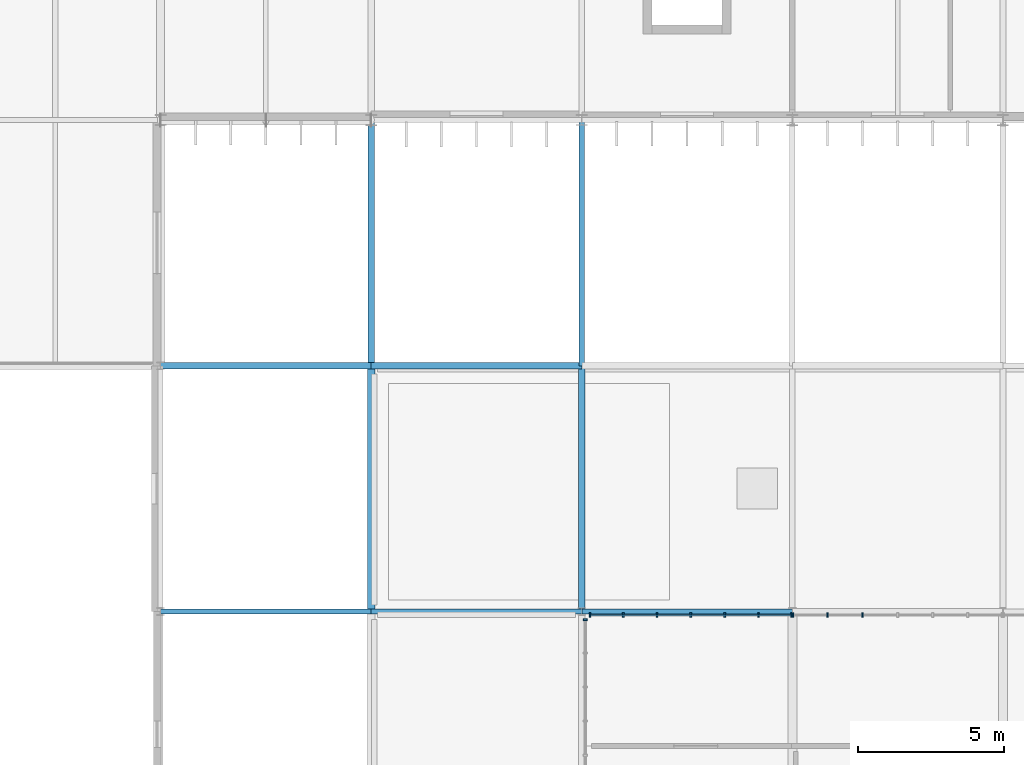
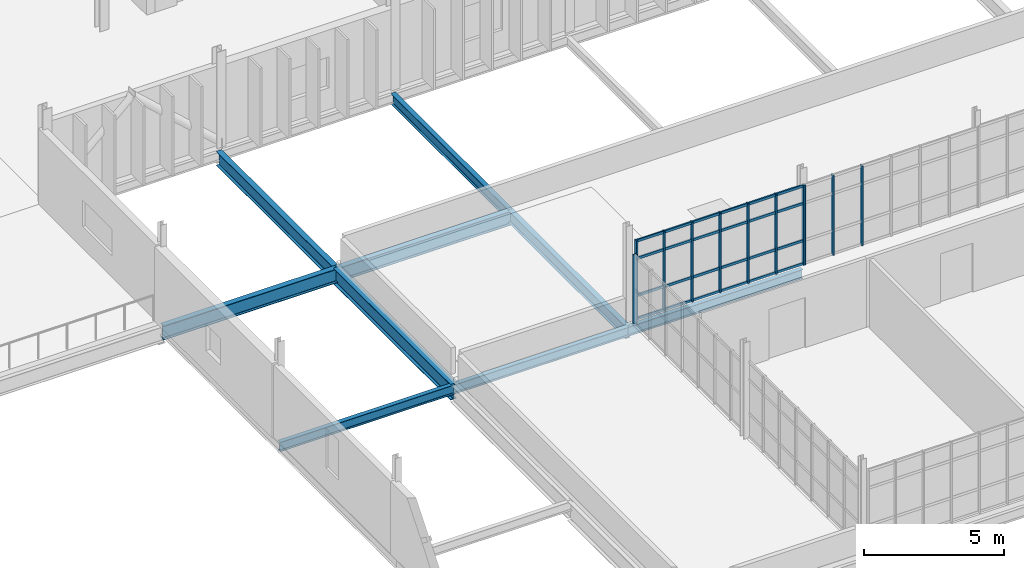
# One storey, part 34 of 119: 15 members, 9 beams, 3 elements without a shape of their own.
"""IFC4 building model written with IfcOpenShell, lengths in metres."""

from ifc_helpers import new_model, si_unit, direction, frame, origin, origin_2d, place, context, subcontext, project, spatial, rectangle, i_section, extrude, material, material_profile, profile_set, type_object, element, aggregate, save


model = new_model("IFC4")

# Units and contexts
model_context = context("Model", 3, precision=1e-05, world=origin(), true_north=direction((0.0, 1.0)))
body_context = subcontext(model_context, "Body", "Model", "MODEL_VIEW")
ifc_project = project(units=[si_unit("LENGTHUNIT", "METRE"), si_unit("AREAUNIT", "SQUARE_METRE"), si_unit("VOLUMEUNIT", "CUBIC_METRE"), si_unit("PLANEANGLEUNIT", "RADIAN"), si_unit("MASSUNIT", "GRAM", prefix="KILO")], contexts=[model_context])

# Site, building, storey
site_placement = place(None, origin())
site = spatial("IfcSite", under=ifc_project, at=site_placement, CompositionType="ELEMENT")
building_placement = place(site_placement, origin())
building = spatial("IfcBuilding", under=site, at=building_placement, Name="Qelthora Terrace Specialist Clinic", CompositionType="ELEMENT")
storey_placement = place(building_placement, frame((0.0, 0.0, 4.800048828125)))
storey = spatial("IfcBuildingStorey", under=building, at=storey_placement, Name="L01", CompositionType="ELEMENT", Elevation=4.800048828125)

# Beams
ifc_material_1 = material(Name="Steel S355", Category="steel")
ifc_material_profile_1 = material_profile(ifc_material_1, i_section(OverallWidth=0.178955078125, OverallDepth=0.409912109375, WebThickness=0.0087890625, FlangeThickness=0.014404296875, FilletRadius=0.011962890625, at=origin_2d()), Name="W410X67")
ifc_profile_set_1 = profile_set([ifc_material_profile_1], Name="Steel S355")
beam_type_1 = type_object("IfcBeamType", Name="BM-W410X67", PredefinedType="BEAM", material=ifc_profile_set_1)
for number, where, z_axis, x_axis, name in (
    (1, (93.60009765625, 16.800048828125, -0.455078125), (1.0, 0.0, 0.0), (0.0, 1.0, 0.0), "Girder BMX-L01-0164"),
    (2, (108.0, 16.800048828125, -0.455078125), (1.0, 0.0, 0.0), (0.0, 1.0, 0.0), "Girder BMX-L01-0166"),
):
    element("IfcBeam", number, at=place(storey_placement, frame(where, z_axis=z_axis, x_axis=x_axis)), inside=storey, type_object=beam_type_1, Name=name, PredefinedType="BEAM", context=body_context, shape_type="SweptSolid", body=[
        extrude(i_section(OverallWidth=0.178955078125, OverallDepth=0.409912109375, WebThickness=0.0087890625, FlangeThickness=0.014404296875, FilletRadius=0.011962890625, at=origin_2d()), origin(), (0.0, 0.0, 1.0), 7.199951171875),
    ])
ifc_material_profile_2 = material_profile(ifc_material_1, i_section(OverallWidth=0.179931640625, OverallDepth=0.4130859375, WebThickness=0.009765625, FlangeThickness=0.01611328125, FilletRadius=0.011962890625, at=origin_2d()), Name="W410X75")
ifc_profile_set_2 = profile_set([ifc_material_profile_2], Name="Steel S355")
beam_type_2 = type_object("IfcBeamType", Name="BM-W410X75", PredefinedType="BEAM", material=ifc_profile_set_2)
beam_1_placement = place(storey_placement, frame((100.800048828125, 16.800048828125, -0.45654296875), z_axis=(1.0, 0.0, 0.0), x_axis=(0.0, 1.0, 0.0)))
element("IfcBeam", 3, at=beam_1_placement, inside=storey, type_object=beam_type_2, Name="Girder BMX-L01-0165", PredefinedType="BEAM", context=body_context, shape_type="SweptSolid", body=[
    extrude(i_section(OverallWidth=0.179931640625, OverallDepth=0.4130859375, WebThickness=0.009765625, FlangeThickness=0.01611328125, FilletRadius=0.011962890625, at=origin_2d()), origin(), (0.0, 0.0, 1.0), 7.199951171875),
])
ifc_material_profile_3 = material_profile(ifc_material_1, i_section(OverallWidth=0.193115234375, OverallDepth=0.466064453125, WebThickness=0.011474609375, FlangeThickness=0.01904296875, FilletRadius=0.012939453125, at=origin_2d()), Name="W460X97")
ifc_profile_set_3 = profile_set([ifc_material_profile_3], Name="Steel S355")
beam_type_3 = type_object("IfcBeamType", Name="BM-W460X97", PredefinedType="BEAM", material=ifc_profile_set_3)
beam_2_placement = place(storey_placement, frame((108.0, 25.199951171875, -0.483154296875), z_axis=(0.0, 1.0, 0.0), x_axis=(-1.0, 0.0, 0.0)))
element("IfcBeam", 4, at=beam_2_placement, inside=storey, type_object=beam_type_3, Name="Girder BMY-L01-0477", PredefinedType="BEAM", context=body_context, shape_type="SweptSolid", body=[
    extrude(i_section(OverallWidth=0.193115234375, OverallDepth=0.466064453125, WebThickness=0.011474609375, FlangeThickness=0.01904296875, FilletRadius=0.012939453125, at=origin_2d()), origin(), (0.0, 0.0, 1.0), 8.400146484375),
])
ifc_material_profile_4 = material_profile(ifc_material_1, i_section(OverallWidth=0.2099609375, OverallDepth=0.537109375, WebThickness=0.010986328125, FlangeThickness=0.017333984375, FilletRadius=0.013916015625, at=origin_2d()), Name="W530X101")
ifc_profile_set_4 = profile_set([ifc_material_profile_4], Name="Steel S355")
beam_type_4 = type_object("IfcBeamType", Name="BM-W530X101", PredefinedType="BEAM", material=ifc_profile_set_4)
beam_3_placement = place(storey_placement, frame((108.0, 16.800048828125, -0.5185546875), z_axis=(0.0, 1.0, 0.0), x_axis=(-1.0, 0.0, 0.0)))
element("IfcBeam", 5, at=beam_3_placement, inside=storey, type_object=beam_type_4, Name="Girder BMY-L01-0476", PredefinedType="BEAM", context=body_context, shape_type="SweptSolid", body=[
    extrude(i_section(OverallWidth=0.2099609375, OverallDepth=0.537109375, WebThickness=0.010986328125, FlangeThickness=0.017333984375, FilletRadius=0.013916015625, at=origin_2d()), origin(), (0.0, 0.0, 1.0), 8.39990234375),
])
ifc_material_profile_5 = material_profile(ifc_material_1, i_section(OverallWidth=0.22900390625, OverallDepth=0.612060546875, WebThickness=0.011962890625, FlangeThickness=0.01953125, FilletRadius=0.01611328125, at=origin_2d()), Name="W610X125")
ifc_profile_set_5 = profile_set([ifc_material_profile_5], Name="Steel S355")
beam_type_5 = type_object("IfcBeamType", Name="BM-W610X125", PredefinedType="BEAM", material=ifc_profile_set_5)
beam_4_placement = place(storey_placement, frame((100.800048828125, 25.199951171875, -0.55615234375), z_axis=(1.0, 0.0, 0.0), x_axis=(0.0, 1.0, 0.0)))
element("IfcBeam", 6, at=beam_4_placement, inside=storey, type_object=beam_type_5, Name="Girder BMX-L01-0186", PredefinedType="BEAM", context=body_context, shape_type="SweptSolid", body=[
    extrude(i_section(OverallWidth=0.22900390625, OverallDepth=0.612060546875, WebThickness=0.011962890625, FlangeThickness=0.01953125, FilletRadius=0.01611328125, at=origin_2d()), origin(), (0.0, 0.0, 1.0), 7.199951171875),
])
ifc_material_profile_6 = material_profile(ifc_material_1, i_section(OverallWidth=0.22998046875, OverallDepth=0.616943359375, WebThickness=0.01318359375, FlangeThickness=0.022216796875, FilletRadius=0.01611328125, at=origin_2d()), Name="W610X140")
ifc_profile_set_6 = profile_set([ifc_material_profile_6], Name="Steel S355")
beam_type_6 = type_object("IfcBeamType", Name="BM-W610X140", PredefinedType="BEAM", material=ifc_profile_set_6)
beam_5_placement = place(storey_placement, frame((93.60009765625, 25.199951171875, -0.55859375), z_axis=(1.0, 0.0, 0.0), x_axis=(0.0, 1.0, 0.0)))
element("IfcBeam", 7, at=beam_5_placement, inside=storey, type_object=beam_type_6, Name="Girder BMX-L01-0185", PredefinedType="BEAM", context=body_context, shape_type="SweptSolid", body=[
    extrude(i_section(OverallWidth=0.22998046875, OverallDepth=0.616943359375, WebThickness=0.01318359375, FlangeThickness=0.022216796875, FilletRadius=0.01611328125, at=origin_2d()), origin(), (0.0, 0.0, 1.0), 7.199951171875),
])
beam_6_placement = place(storey_placement, frame((100.800048828125, 25.199951171875, -0.55859375), z_axis=(0.0, 1.0, 0.0), x_axis=(-1.0, 0.0, 0.0)))
element("IfcBeam", 8, at=beam_6_placement, inside=storey, type_object=beam_type_6, Name="Girder BMY-L01-0464", PredefinedType="BEAM", context=body_context, shape_type="SweptSolid", body=[
    extrude(i_section(OverallWidth=0.22998046875, OverallDepth=0.616943359375, WebThickness=0.01318359375, FlangeThickness=0.022216796875, FilletRadius=0.01611328125, at=origin_2d()), origin(), (0.0, 0.0, 1.0), 8.400146484375),
])
ifc_material_profile_7 = material_profile(ifc_material_1, i_section(OverallWidth=0.256103515625, OverallDepth=0.693115234375, WebThickness=0.014404296875, FlangeThickness=0.023681640625, FilletRadius=0.01806640625, at=origin_2d()), Name="W690X170")
ifc_profile_set_7 = profile_set([ifc_material_profile_7], Name="Steel S355")
beam_type_7 = type_object("IfcBeamType", Name="BM-W690X170", PredefinedType="BEAM", material=ifc_profile_set_7)
beam_7_placement = place(storey_placement, frame((100.800048828125, 16.800048828125, -0.596435546875), z_axis=(0.0, 1.0, 0.0), x_axis=(-1.0, 0.0, 0.0)))
element("IfcBeam", 9, at=beam_7_placement, inside=storey, type_object=beam_type_7, Name="Girder BMY-L01-0463", PredefinedType="BEAM", context=body_context, shape_type="SweptSolid", body=[
    extrude(i_section(OverallWidth=0.256103515625, OverallDepth=0.693115234375, WebThickness=0.014404296875, FlangeThickness=0.023681640625, FilletRadius=0.01806640625, at=origin_2d()), origin(), (0.0, 0.0, 1.0), 8.39990234375),
])

# Curtain wall, members
ifc_material_2 = material(Name="Aluminium anodized bronze", Category="aluminium")
curtain_wall_type = type_object("IfcCurtainWallType", Name="CW-CONS-UP", PredefinedType="NOTDEFINED", material=ifc_material_2)
curtain_wall_1_placement = place(storey_placement, origin())
curtain_wall_1 = element("IfcCurtainWall", 10, at=curtain_wall_1_placement, inside=storey, type_object=curtain_wall_type, Name="Curtain wall CW-L01-240", PredefinedType="NOTDEFINED")
ifc_material_profile_8 = material_profile(ifc_material_2, rectangle(XDim=0.06005859375, YDim=0.14990234375, at=origin_2d()), Name="CWM60X150")
ifc_profile_set_8 = profile_set([ifc_material_profile_8], Name="Aluminium anodized bronze")
member_type_1 = type_object("IfcMemberType", Name="CWM-60X150", PredefinedType="MULLION", material=ifc_profile_set_8)
member_1_placement = place(storey_placement, frame((108.280029296875, 16.679931640625, 0.0), z_axis=(0.0, 0.0, 1.0), x_axis=(1.0, 0.0, 0.0)))
member_1 = element("IfcMember", 11, at=member_1_placement, type_object=member_type_1, Name="CW-L01-240 mullion 1", PredefinedType="MULLION", context=body_context, shape_type="SweptSolid", body=[
    extrude(rectangle(XDim=0.06005859375, YDim=0.14990234375, at=origin_2d()), origin(), (0.0, 0.0, 1.0), 3.475830078125),
])
member_2_placement = place(storey_placement, frame((109.416748046875, 16.679931640625, 0.0), z_axis=(0.0, 0.0, 1.0), x_axis=(1.0, 0.0, 0.0)))
member_2 = element("IfcMember", 12, at=member_2_placement, type_object=member_type_1, Name="CW-L01-240 mullion 2", PredefinedType="MULLION", context=body_context, shape_type="SweptSolid", body=[
    extrude(rectangle(XDim=0.06005859375, YDim=0.14990234375, at=origin_2d()), origin(), (0.0, 0.0, 1.0), 3.475830078125),
])
member_3_placement = place(storey_placement, frame((110.5732421875, 16.679931640625, 0.0), z_axis=(0.0, 0.0, 1.0), x_axis=(1.0, 0.0, 0.0)))
member_3 = element("IfcMember", 13, at=member_3_placement, type_object=member_type_1, Name="CW-L01-240 mullion 3", PredefinedType="MULLION", context=body_context, shape_type="SweptSolid", body=[
    extrude(rectangle(XDim=0.06005859375, YDim=0.14990234375, at=origin_2d()), origin(), (0.0, 0.0, 1.0), 3.475830078125),
])
member_4_placement = place(storey_placement, frame((111.72998046875, 16.679931640625, 0.0), z_axis=(0.0, 0.0, 1.0), x_axis=(1.0, 0.0, 0.0)))
member_4 = element("IfcMember", 14, at=member_4_placement, type_object=member_type_1, Name="CW-L01-240 mullion 4", PredefinedType="MULLION", context=body_context, shape_type="SweptSolid", body=[
    extrude(rectangle(XDim=0.06005859375, YDim=0.14990234375, at=origin_2d()), origin(), (0.0, 0.0, 1.0), 3.475830078125),
])
member_5_placement = place(storey_placement, frame((112.88671875, 16.679931640625, 0.0), z_axis=(0.0, 0.0, 1.0), x_axis=(1.0, 0.0, 0.0)))
member_5 = element("IfcMember", 15, at=member_5_placement, type_object=member_type_1, Name="CW-L01-240 mullion 5", PredefinedType="MULLION", context=body_context, shape_type="SweptSolid", body=[
    extrude(rectangle(XDim=0.06005859375, YDim=0.14990234375, at=origin_2d()), origin(), (0.0, 0.0, 1.0), 3.475830078125),
])
member_6_placement = place(storey_placement, frame((114.043212890625, 16.679931640625, 0.0), z_axis=(0.0, 0.0, 1.0), x_axis=(1.0, 0.0, 0.0)))
member_6 = element("IfcMember", 16, at=member_6_placement, type_object=member_type_1, Name="CW-L01-240 mullion 6", PredefinedType="MULLION", context=body_context, shape_type="SweptSolid", body=[
    extrude(rectangle(XDim=0.06005859375, YDim=0.14990234375, at=origin_2d()), origin(), (0.0, 0.0, 1.0), 3.475830078125),
])
member_7_placement = place(storey_placement, frame((115.179931640625, 16.679931640625, 0.0), z_axis=(0.0, 0.0, 1.0), x_axis=(1.0, 0.0, 0.0)))
member_7 = element("IfcMember", 17, at=member_7_placement, type_object=member_type_1, Name="CW-L01-240 mullion 7", PredefinedType="MULLION", context=body_context, shape_type="SweptSolid", body=[
    extrude(rectangle(XDim=0.06005859375, YDim=0.14990234375, at=origin_2d()), origin(), (0.0, 0.0, 1.0), 3.475830078125),
])

curtain_wall_2_placement = place(storey_placement, origin())
curtain_wall_2 = element("IfcCurtainWall", 18, at=curtain_wall_2_placement, inside=storey, type_object=curtain_wall_type, Name="Curtain wall CW-L01-241", PredefinedType="NOTDEFINED")
member_8_placement = place(storey_placement, frame((115.219970703125, 16.679931640625, 0.0), z_axis=(0.0, 0.0, 1.0), x_axis=(1.0, 0.0, 0.0)))
member_8 = element("IfcMember", 19, at=member_8_placement, type_object=member_type_1, Name="CW-L01-241 mullion 1", PredefinedType="MULLION", context=body_context, shape_type="SweptSolid", body=[
    extrude(rectangle(XDim=0.06005859375, YDim=0.14990234375, at=origin_2d()), origin(), (0.0, 0.0, 1.0), 3.48193359375),
])
member_9_placement = place(storey_placement, frame((116.39990234375, 16.679931640625, 0.0), z_axis=(0.0, 0.0, 1.0), x_axis=(1.0, 0.0, 0.0)))
member_9 = element("IfcMember", 20, at=member_9_placement, type_object=member_type_1, Name="CW-L01-241 mullion 2", PredefinedType="MULLION", context=body_context, shape_type="SweptSolid", body=[
    extrude(rectangle(XDim=0.06005859375, YDim=0.14990234375, at=origin_2d()), origin(), (0.0, 0.0, 1.0), 3.48193359375),
])
member_10_placement = place(storey_placement, frame((117.60009765625, 16.679931640625, 0.0), z_axis=(0.0, 0.0, 1.0), x_axis=(1.0, 0.0, 0.0)))
member_10 = element("IfcMember", 21, at=member_10_placement, type_object=member_type_1, Name="CW-L01-241 mullion 3", PredefinedType="MULLION", context=body_context, shape_type="SweptSolid", body=[
    extrude(rectangle(XDim=0.06005859375, YDim=0.14990234375, at=origin_2d()), origin(), (0.0, 0.0, 1.0), 3.48193359375),
])
aggregate(curtain_wall_2, [member_8, member_9, member_10])

# Curtain wall, member
curtain_wall_3_placement = place(storey_placement, origin())
curtain_wall_3 = element("IfcCurtainWall", 22, at=curtain_wall_3_placement, inside=storey, type_object=curtain_wall_type, Name="Curtain wall CW-L01-255", PredefinedType="NOTDEFINED")
member_11_placement = place(storey_placement, frame((108.1201171875, 16.52001953125, 0.0), z_axis=(0.0, 0.0, 1.0), x_axis=(0.0, 1.0, 0.0)))
member_11 = element("IfcMember", 23, at=member_11_placement, type_object=member_type_1, Name="CW-L01-255 mullion 8", PredefinedType="MULLION", context=body_context, shape_type="SweptSolid", body=[
    extrude(rectangle(XDim=0.06005859375, YDim=0.14990234375, at=origin_2d()), origin(), (0.0, 0.0, 1.0), 3.014892578125),
])
aggregate(curtain_wall_3, [member_11])

# Member
ifc_material_profile_9 = material_profile(ifc_material_2, rectangle(XDim=0.06005859375, YDim=0.110107421875, at=origin_2d()), Name="CWT60X110")
ifc_profile_set_9 = profile_set([ifc_material_profile_9], Name="Aluminium anodized bronze")
member_type_2 = type_object("IfcMemberType", Name="CWT-60X110", PredefinedType="USERDEFINED", material=ifc_profile_set_9)
member_12_placement = place(storey_placement, frame((108.300048828125, 16.679931640625, 0.0400390625), z_axis=(1.0, 0.0, 0.0), x_axis=(0.0, 1.0, 0.0)))
member_12 = element("IfcMember", 24, at=member_12_placement, type_object=member_type_2, Name="CW-L01-240 transom 1", ObjectType="TRANSOM", PredefinedType="USERDEFINED", context=body_context, shape_type="SweptSolid", body=[
    extrude(rectangle(XDim=0.06005859375, YDim=0.110107421875, at=origin_2d()), origin(), (0.0, 0.0, 1.0), 6.85986328125),
])

member_13_placement = place(storey_placement, frame((108.300048828125, 16.679931640625, 1.050048828125), z_axis=(1.0, 0.0, 0.0), x_axis=(0.0, 1.0, 0.0)))
member_13 = element("IfcMember", 25, at=member_13_placement, type_object=member_type_2, Name="CW-L01-240 transom 2", ObjectType="TRANSOM", PredefinedType="USERDEFINED", context=body_context, shape_type="SweptSolid", body=[
    extrude(rectangle(XDim=0.06005859375, YDim=0.110107421875, at=origin_2d()), origin(), (0.0, 0.0, 1.0), 6.85986328125),
])

member_14_placement = place(storey_placement, frame((108.300048828125, 16.679931640625, 2.676025390625), z_axis=(1.0, 0.0, 0.0), x_axis=(0.0, 1.0, 0.0)))
member_14 = element("IfcMember", 26, at=member_14_placement, type_object=member_type_2, Name="CW-L01-240 transom 3", ObjectType="TRANSOM", PredefinedType="USERDEFINED", context=body_context, shape_type="SweptSolid", body=[
    extrude(rectangle(XDim=0.06005859375, YDim=0.110107421875, at=origin_2d()), origin(), (0.0, 0.0, 1.0), 6.85986328125),
])

member_15_placement = place(storey_placement, frame((108.300048828125, 16.679931640625, 3.43603515625), z_axis=(1.0, 0.0, 0.0), x_axis=(0.0, 1.0, 0.0)))
member_15 = element("IfcMember", 27, at=member_15_placement, type_object=member_type_2, Name="CW-L01-240 transom 4", ObjectType="TRANSOM", PredefinedType="USERDEFINED", context=body_context, shape_type="SweptSolid", body=[
    extrude(rectangle(XDim=0.06005859375, YDim=0.110107421875, at=origin_2d()), origin(), (0.0, 0.0, 1.0), 6.85986328125),
])

aggregate(curtain_wall_1, [member_1, member_2, member_3, member_4, member_5, member_6, member_7, member_12, member_13, member_14, member_15])

save(model, "model.ifc")
